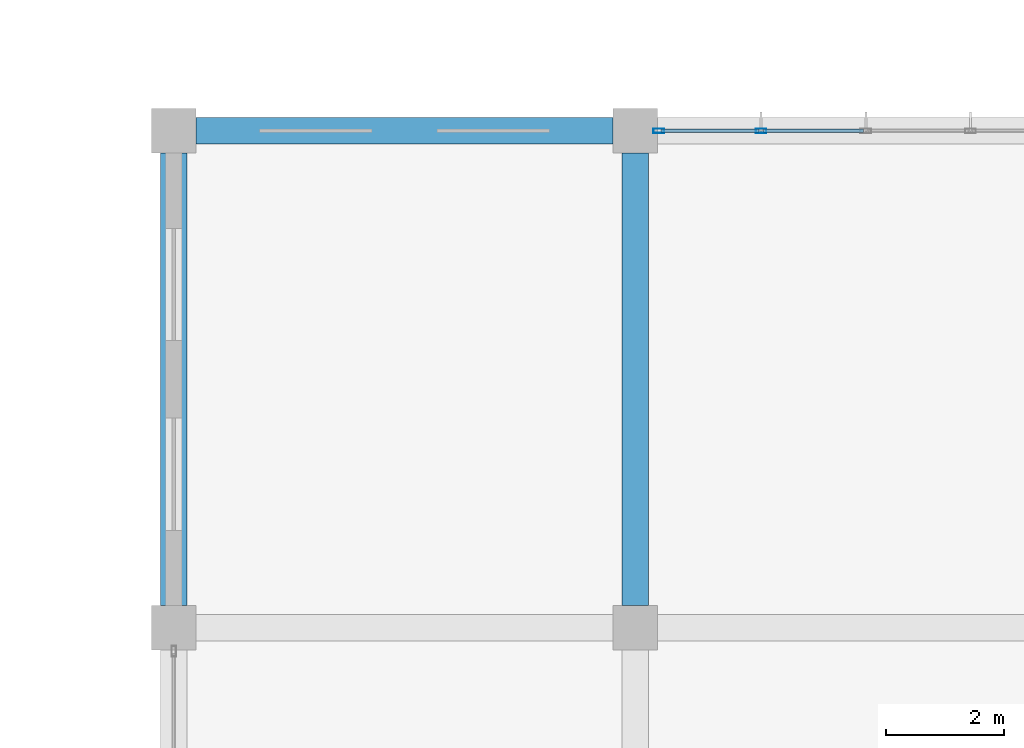
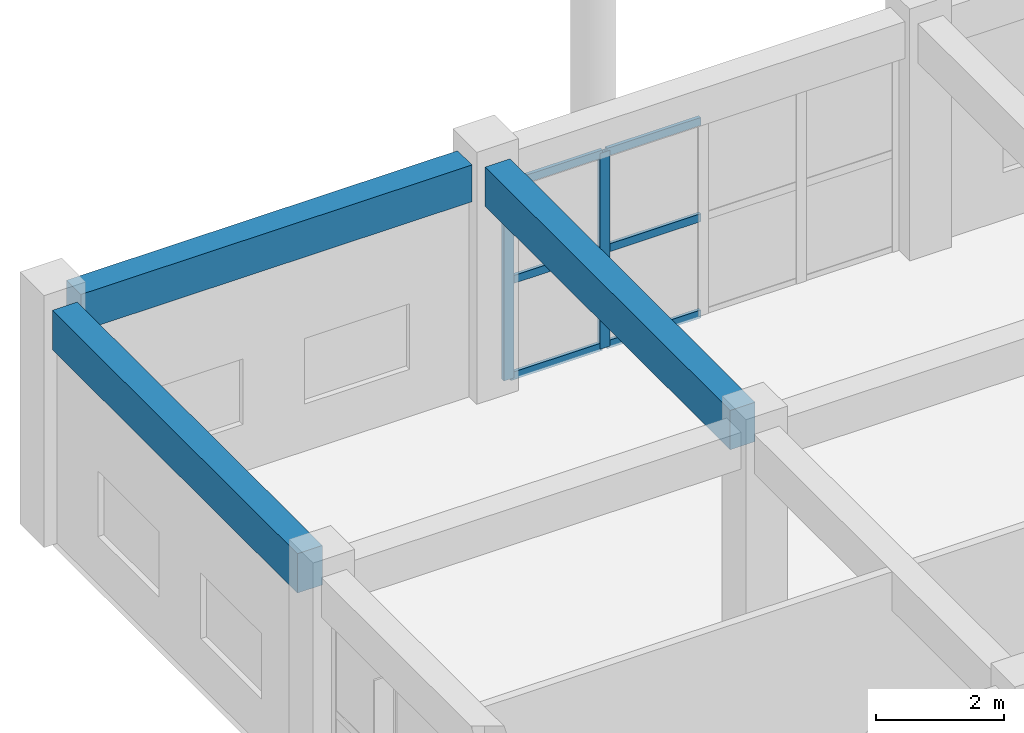
# One storey, part 117 of 167: 8 members, 3 beams, 1 element without a shape of its own.
"""IFC4 building model written with IfcOpenShell, lengths in metres."""

from ifc_helpers import new_model, si_unit, direction, frame, origin, origin_2d, place, context, subcontext, project, spatial, rectangle, hollow_rectangle, extrude, material, layer, layer_set, material_profile, profile_set, type_object, element, aggregate, save


model = new_model("IFC4")

# Units and contexts
model_context = context("Model", 3, precision=1e-05, world=origin(), true_north=direction((0.0, 1.0)))
body_context = subcontext(model_context, "Body", "Model", "MODEL_VIEW")
ifc_project = project(units=[si_unit("LENGTHUNIT", "METRE"), si_unit("AREAUNIT", "SQUARE_METRE"), si_unit("VOLUMEUNIT", "CUBIC_METRE"), si_unit("PLANEANGLEUNIT", "RADIAN"), si_unit("MASSUNIT", "GRAM", prefix="KILO")], contexts=[model_context])

# Site, building, storey
site_placement = place(None, origin())
site = spatial("IfcSite", under=ifc_project, at=site_placement, CompositionType="ELEMENT")
building_placement = place(site_placement, origin())
building = spatial("IfcBuilding", under=site, at=building_placement, Name="Zizhar Promenade General Hospital", CompositionType="ELEMENT")
storey_placement = place(building_placement, frame((0.0, 0.0, 9.60009765625)))
storey = spatial("IfcBuildingStorey", under=building, at=storey_placement, Name="L02", CompositionType="ELEMENT", Elevation=9.60009765625)

# Beams
ifc_material_1 = material(Name="Concrete C35/45", Category="concrete")
ifc_material_profile_1 = material_profile(ifc_material_1, rectangle(XDim=0.449951171875, YDim=0.699951171875, at=origin_2d()))
ifc_profile_set_1 = profile_set([ifc_material_profile_1], Name="Concrete C35/45")
beam_type_1 = type_object("IfcBeamType", Name="BM-RC-450x700", PredefinedType="BEAM", material=ifc_profile_set_1)
beam_placement = place(storey_placement, frame((47.175048828125, 134.39990234375, 4.119873046875), z_axis=(1.0, 0.0, 0.0), x_axis=(0.0, 1.0, 0.0)))
element("IfcBeam", 1, at=beam_placement, inside=storey, type_object=beam_type_1, Name="Grid Beam X L02 (6-16)", PredefinedType="BEAM", context=body_context, shape_type="SweptSolid", body=[
    extrude(rectangle(XDim=0.449951171875, YDim=0.699951171875, at=origin_2d()), origin(), (0.0, 0.0, 1.0), 7.050048828125),
])
ifc_material_2 = material(Name="Concrete C35/45", Category="concrete")
ifc_material_profile_2 = material_profile(ifc_material_2, rectangle(XDim=0.449951171875, YDim=0.75, at=origin_2d()))
ifc_profile_set_2 = profile_set([ifc_material_profile_2], Name="Concrete C35/45")
beam_type_2 = type_object("IfcBeamType", Name="BM-RC-450x750", PredefinedType="BEAM", material=ifc_profile_set_2)
for number, where, z_axis, x_axis, name in (
    (2, (46.800048828125, 126.375, 4.094970703125), (0.0, 1.0, 0.0), (-1.0, 0.0, 0.0), "Grid Beam Y L02 (6-15)"),
    (3, (54.60009765625, 126.375, 4.094970703125), (0.0, 1.0, 0.0), (-1.0, 0.0, 0.0), "Grid Beam Y L02 (7-15)"),
):
    element("IfcBeam", number, at=place(storey_placement, frame(where, z_axis=z_axis, x_axis=x_axis)), inside=storey, type_object=beam_type_2, Name=name, PredefinedType="BEAM", context=body_context, shape_type="SweptSolid", body=[
        extrude(rectangle(XDim=0.449951171875, YDim=0.75, at=origin_2d()), origin(), (0.0, 0.0, 1.0), 7.64990234375),
    ])

# Curtain wall, members
ifc_material_3 = material(Name="Anodised aluminium 6063-T6 and low-E glass", Category="aluminium")
ifc_layer = layer(ifc_material_3, 0.159912109375)
ifc_layer_set = layer_set([ifc_layer], Name="Anodised aluminium 6063-T6 and low-E glass")
curtain_wall_type = type_object("IfcCurtainWallType", Name="CW-DT-MOD2", PredefinedType="NOTDEFINED", material=ifc_layer_set)
curtain_wall_placement = place(storey_placement, origin())
curtain_wall = element("IfcCurtainWall", 4, at=curtain_wall_placement, inside=storey, type_object=curtain_wall_type, Name="Surgical North Glazed Curtain Wall L02-7", PredefinedType="NOTDEFINED")
ifc_material_4 = material(Name="Anodised aluminium 6063-T6", Category="aluminium")
ifc_material_profile_3 = material_profile(ifc_material_4, hollow_rectangle(XDim=0.080078125, YDim=0.179931640625, WallThickness=0.0048828125, at=origin_2d()))
ifc_profile_set_3 = profile_set([ifc_material_profile_3], Name="Anodised aluminium 6063-T6")
member_type_1 = type_object("IfcMemberType", Name="CWM-ALU-180x80", PredefinedType="MULLION", material=ifc_profile_set_3)
member_1_placement = place(storey_placement, frame((55.0, 134.39990234375, 0.0), z_axis=(0.0, 0.0, 1.0), x_axis=(0.0, 1.0, 0.0)))
member_1 = element("IfcMember", 5, at=member_1_placement, type_object=member_type_1, Name="CW-08 mullion 1", PredefinedType="MULLION", context=body_context, shape_type="SweptSolid", body=[
    extrude(hollow_rectangle(XDim=0.080078125, YDim=0.179931640625, WallThickness=0.0048828125, at=origin_2d()), origin(), (0.0, 0.0, 1.0), 3.72998046875),
])
member_2_placement = place(storey_placement, frame((56.72998046875, 134.39990234375, 0.0), z_axis=(0.0, 0.0, 1.0), x_axis=(0.0, 1.0, 0.0)))
member_2 = element("IfcMember", 6, at=member_2_placement, type_object=member_type_1, Name="CW-08 mullion 2", PredefinedType="MULLION", context=body_context, shape_type="SweptSolid", body=[
    extrude(hollow_rectangle(XDim=0.080078125, YDim=0.179931640625, WallThickness=0.0048828125, at=origin_2d()), origin(), (0.0, 0.0, 1.0), 3.72998046875),
])
ifc_material_5 = material(Name="Anodised aluminium 6063-T6", Category="aluminium")
ifc_material_profile_4 = material_profile(ifc_material_5, hollow_rectangle(XDim=0.06005859375, YDim=0.14990234375, WallThickness=0.00390625, at=origin_2d()))
ifc_profile_set_4 = profile_set([ifc_material_profile_4], Name="Anodised aluminium 6063-T6")
member_type_2 = type_object("IfcMemberType", Name="CWT-ALU-150x60", PredefinedType="USERDEFINED", material=ifc_profile_set_4)
member_3_placement = place(storey_placement, frame((55.0400390625, 134.39990234375, 0.02978515625), z_axis=(1.0, 0.0, 0.0), x_axis=(0.0, 1.0, 0.0)))
member_3 = element("IfcMember", 7, at=member_3_placement, type_object=member_type_2, Name="CW-08 transom 1.1", ObjectType="TRANSOM", PredefinedType="USERDEFINED", context=body_context, shape_type="SweptSolid", body=[
    extrude(hollow_rectangle(XDim=0.06005859375, YDim=0.14990234375, WallThickness=0.00390625, at=origin_2d()), origin(), (0.0, 0.0, 1.0), 1.64990234375),
])
member_4_placement = place(storey_placement, frame((55.0400390625, 134.39990234375, 1.864990234375), z_axis=(1.0, 0.0, 0.0), x_axis=(0.0, 1.0, 0.0)))
member_4 = element("IfcMember", 8, at=member_4_placement, type_object=member_type_2, Name="CW-08 transom 1.2", ObjectType="TRANSOM", PredefinedType="USERDEFINED", context=body_context, shape_type="SweptSolid", body=[
    extrude(hollow_rectangle(XDim=0.06005859375, YDim=0.14990234375, WallThickness=0.00390625, at=origin_2d()), origin(), (0.0, 0.0, 1.0), 1.64990234375),
])
member_5_placement = place(storey_placement, frame((55.0400390625, 134.39990234375, 3.699951171875), z_axis=(1.0, 0.0, 0.0), x_axis=(0.0, 1.0, 0.0)))
member_5 = element("IfcMember", 9, at=member_5_placement, type_object=member_type_2, Name="CW-08 transom 1.3", ObjectType="TRANSOM", PredefinedType="USERDEFINED", context=body_context, shape_type="SweptSolid", body=[
    extrude(hollow_rectangle(XDim=0.06005859375, YDim=0.14990234375, WallThickness=0.00390625, at=origin_2d()), origin(), (0.0, 0.0, 1.0), 1.64990234375),
])
member_6_placement = place(storey_placement, frame((56.77001953125, 134.39990234375, 0.02978515625), z_axis=(1.0, 0.0, 0.0), x_axis=(0.0, 1.0, 0.0)))
member_6 = element("IfcMember", 10, at=member_6_placement, type_object=member_type_2, Name="CW-08 transom 2.1", ObjectType="TRANSOM", PredefinedType="USERDEFINED", context=body_context, shape_type="SweptSolid", body=[
    extrude(hollow_rectangle(XDim=0.06005859375, YDim=0.14990234375, WallThickness=0.00390625, at=origin_2d()), origin(), (0.0, 0.0, 1.0), 1.68994140625),
])
member_7_placement = place(storey_placement, frame((56.77001953125, 134.39990234375, 1.864990234375), z_axis=(1.0, 0.0, 0.0), x_axis=(0.0, 1.0, 0.0)))
member_7 = element("IfcMember", 11, at=member_7_placement, type_object=member_type_2, Name="CW-08 transom 2.2", ObjectType="TRANSOM", PredefinedType="USERDEFINED", context=body_context, shape_type="SweptSolid", body=[
    extrude(hollow_rectangle(XDim=0.06005859375, YDim=0.14990234375, WallThickness=0.00390625, at=origin_2d()), origin(), (0.0, 0.0, 1.0), 1.68994140625),
])
member_8_placement = place(storey_placement, frame((56.77001953125, 134.39990234375, 3.699951171875), z_axis=(1.0, 0.0, 0.0), x_axis=(0.0, 1.0, 0.0)))
member_8 = element("IfcMember", 12, at=member_8_placement, type_object=member_type_2, Name="CW-08 transom 2.3", ObjectType="TRANSOM", PredefinedType="USERDEFINED", context=body_context, shape_type="SweptSolid", body=[
    extrude(hollow_rectangle(XDim=0.06005859375, YDim=0.14990234375, WallThickness=0.00390625, at=origin_2d()), origin(), (0.0, 0.0, 1.0), 1.68994140625),
])
aggregate(curtain_wall, [member_1, member_2, member_3, member_4, member_5, member_6, member_7, member_8])

save(model, "model.ifc")
